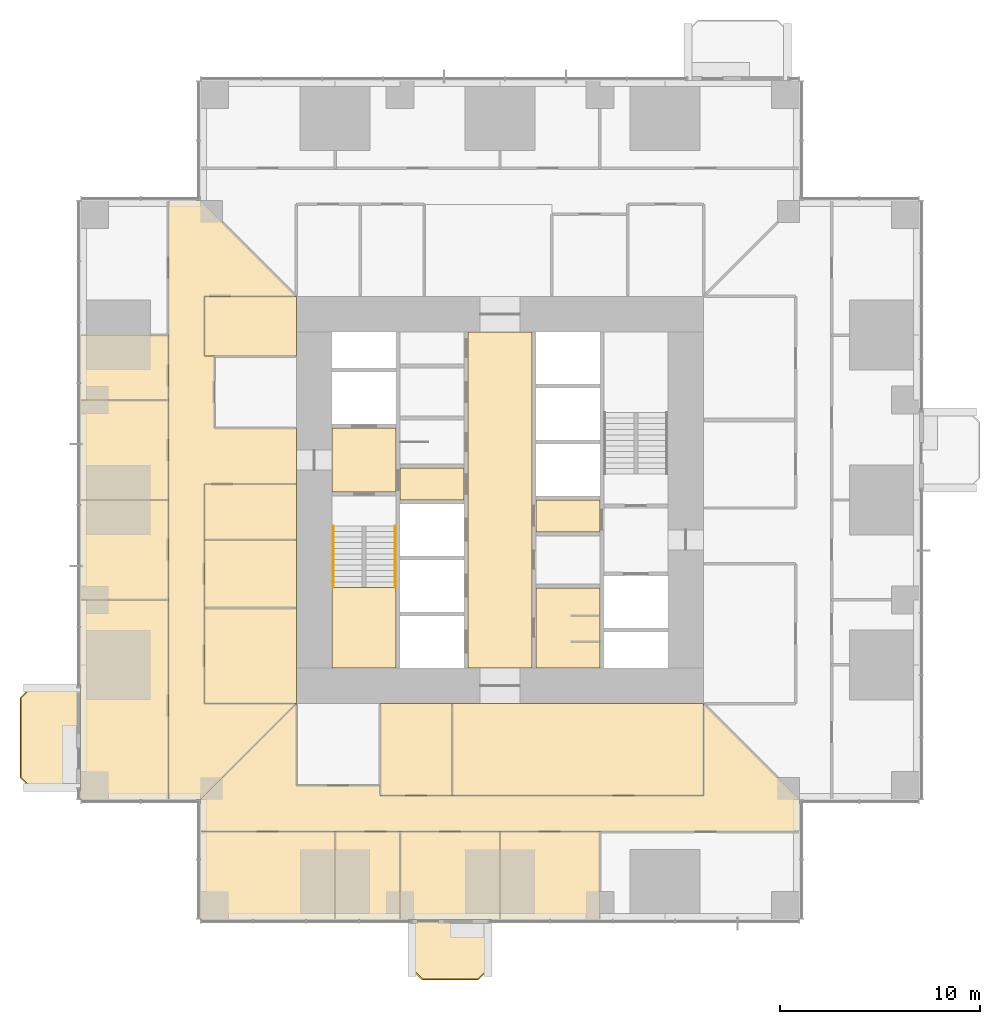
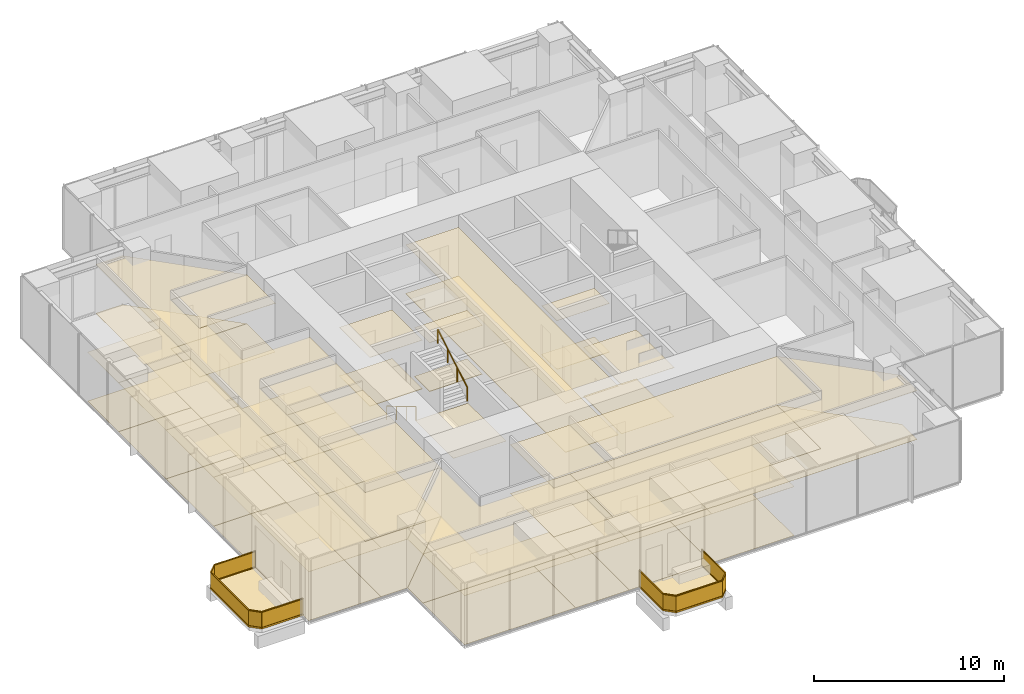
# One storey, part 15 of 18: 45 coverings, 4 railings.
"""IFC4 building model written with IfcOpenShell, lengths in metres."""

from ifc_helpers import new_model, si_unit, direction, frame, origin, origin_2d, place, context, subcontext, project, spatial, polyline, rectangle, circle, outline, extrude, material, layer, layer_set, type_object, element, save


model = new_model("IFC4")

# Units and contexts
model_context = context("Model", 3, precision=1e-05, world=origin(), true_north=direction((0.0, 1.0)))
body_context = subcontext(model_context, "Body", "Model", "MODEL_VIEW")
ifc_project = project(units=[si_unit("LENGTHUNIT", "METRE"), si_unit("AREAUNIT", "SQUARE_METRE"), si_unit("VOLUMEUNIT", "CUBIC_METRE"), si_unit("PLANEANGLEUNIT", "RADIAN"), si_unit("MASSUNIT", "GRAM", prefix="KILO")], contexts=[model_context])

# Site, building, storey
site_placement = place(None, origin())
site = spatial("IfcSite", under=ifc_project, at=site_placement, CompositionType="ELEMENT")
building_placement = place(site_placement, origin())
building = spatial("IfcBuilding", under=site, at=building_placement, Name="Svetlomir Tower", CompositionType="ELEMENT")
storey_placement = place(building_placement, frame((0.0, 0.0, 78.5)))
storey = spatial("IfcBuildingStorey", under=building, at=storey_placement, Name="L18", CompositionType="ELEMENT", Elevation=78.5)

# Railings
ifc_material_1 = material(Name="Bronze anodised aluminium and laminated glass", Category="aluminium")
railing_type_1 = type_object("IfcRailingType", Name="BALCONY GUARD GR1 1100", PredefinedType="GUARDRAIL", material=ifc_material_1)
railing_1_placement = place(storey_placement, frame((16.60009765625, 0.0, 0.0)))
element("IfcRailing", 1, at=railing_1_placement, inside=storey, type_object=railing_type_1, Name="Balcony guard S L18", PredefinedType="GUARDRAIL", context=body_context, shape_type="SweptSolid", body=[
    extrude(rectangle(XDim=0.06005859375, YDim=0.10009765625, at=origin_2d()), frame((0.0, 0.0, 0.050048828125), z_axis=(0.0, -1.0, 0.0), x_axis=(1.0, 0.0, 0.0)), (0.0, 0.0, 1.0), 2.5),
    extrude(rectangle(XDim=0.021484375, YDim=0.960205078125, at=origin_2d()), frame((0.0, 0.0, 0.580078125), z_axis=(0.0, -1.0, 0.0), x_axis=(1.0, 0.0, 0.0)), (0.0, 0.0, 1.0), 2.5),
    extrude(rectangle(XDim=0.06005859375, YDim=0.0400390625, at=origin_2d()), frame((0.0, 0.0, 1.080078125), z_axis=(0.0, -1.0, 0.0), x_axis=(1.0, 0.0, 0.0)), (0.0, 0.0, 1.0), 2.5),
    extrude(rectangle(XDim=0.06005859375, YDim=0.10009765625, at=origin_2d()), frame((0.0, -2.5, 0.050048828125), z_axis=(0.707106781187, -0.707106781187, 0.0), x_axis=(0.707106781187, 0.707106781187, 0.0)), (0.0, 0.0, 1.0), 0.70703125),
    extrude(rectangle(XDim=0.021484375, YDim=0.960205078125, at=origin_2d()), frame((0.0, -2.5, 0.580078125), z_axis=(0.707106781187, -0.707106781187, 0.0), x_axis=(0.707106781187, 0.707106781187, 0.0)), (0.0, 0.0, 1.0), 0.70703125),
    extrude(rectangle(XDim=0.06005859375, YDim=0.0400390625, at=origin_2d()), frame((0.0, -2.5, 1.080078125), z_axis=(0.707106781187, -0.707106781187, 0.0), x_axis=(0.707106781187, 0.707106781187, 0.0)), (0.0, 0.0, 1.0), 0.70703125),
    extrude(rectangle(XDim=0.06005859375, YDim=0.10009765625, at=origin_2d()), frame((0.5, -3.0, 0.050048828125), z_axis=(1.0, 0.0, 0.0), x_axis=(0.0, 1.0, 0.0)), (0.0, 0.0, 1.0), 2.7998046875),
    extrude(rectangle(XDim=0.021484375, YDim=0.960205078125, at=origin_2d()), frame((0.5, -3.0, 0.580078125), z_axis=(1.0, 0.0, 0.0), x_axis=(0.0, 1.0, 0.0)), (0.0, 0.0, 1.0), 2.7998046875),
    extrude(rectangle(XDim=0.06005859375, YDim=0.0400390625, at=origin_2d()), frame((0.5, -3.0, 1.080078125), z_axis=(1.0, 0.0, 0.0), x_axis=(0.0, 1.0, 0.0)), (0.0, 0.0, 1.0), 2.7998046875),
    extrude(rectangle(XDim=0.06005859375, YDim=0.10009765625, at=origin_2d()), frame((3.2998046875, -3.0, 0.050048828125), z_axis=(0.707106781187, 0.707106781187, 0.0), x_axis=(-0.707106781187, 0.707106781187, 0.0)), (0.0, 0.0, 1.0), 0.70703125),
    extrude(rectangle(XDim=0.021484375, YDim=0.960205078125, at=origin_2d()), frame((3.2998046875, -3.0, 0.580078125), z_axis=(0.707106781187, 0.707106781187, 0.0), x_axis=(-0.707106781187, 0.707106781187, 0.0)), (0.0, 0.0, 1.0), 0.70703125),
    extrude(rectangle(XDim=0.06005859375, YDim=0.0400390625, at=origin_2d()), frame((3.2998046875, -3.0, 1.080078125), z_axis=(0.707106781187, 0.707106781187, 0.0), x_axis=(-0.707106781187, 0.707106781187, 0.0)), (0.0, 0.0, 1.0), 0.70703125),
    extrude(rectangle(XDim=0.06005859375, YDim=0.10009765625, at=origin_2d()), frame((3.7998046875, -2.5, 0.050048828125), z_axis=(0.0, 1.0, 0.0), x_axis=(-1.0, 0.0, 0.0)), (0.0, 0.0, 1.0), 2.5),
    extrude(rectangle(XDim=0.021484375, YDim=0.960205078125, at=origin_2d()), frame((3.7998046875, -2.5, 0.580078125), z_axis=(0.0, 1.0, 0.0), x_axis=(-1.0, 0.0, 0.0)), (0.0, 0.0, 1.0), 2.5),
    extrude(rectangle(XDim=0.06005859375, YDim=0.0400390625, at=origin_2d()), frame((3.7998046875, -2.5, 1.080078125), z_axis=(0.0, 1.0, 0.0), x_axis=(-1.0, 0.0, 0.0)), (0.0, 0.0, 1.0), 2.5),
])
railing_2_placement = place(storey_placement, frame((0.0, 11.60009765625, 0.0)))
element("IfcRailing", 2, at=railing_2_placement, inside=storey, type_object=railing_type_1, Name="Balcony guard W L18", PredefinedType="GUARDRAIL", context=body_context, shape_type="SweptSolid", body=[
    extrude(rectangle(XDim=0.06005859375, YDim=0.10009765625, at=origin_2d()), frame((0.0, 0.0, 0.050048828125), z_axis=(-1.0, 0.0, 0.0), x_axis=(0.0, -1.0, 0.0)), (0.0, 0.0, 1.0), 2.5),
    extrude(rectangle(XDim=0.021484375, YDim=0.960205078125, at=origin_2d()), frame((0.0, 0.0, 0.580078125), z_axis=(-1.0, 0.0, 0.0), x_axis=(0.0, -1.0, 0.0)), (0.0, 0.0, 1.0), 2.5),
    extrude(rectangle(XDim=0.06005859375, YDim=0.0400390625, at=origin_2d()), frame((0.0, 0.0, 1.080078125), z_axis=(-1.0, 0.0, 0.0), x_axis=(0.0, -1.0, 0.0)), (0.0, 0.0, 1.0), 2.5),
    extrude(rectangle(XDim=0.06005859375, YDim=0.10009765625, at=origin_2d()), frame((-2.5, 0.0, 0.050048828125), z_axis=(-0.707106781187, -0.707106781187, 0.0), x_axis=(0.707106781187, -0.707106781187, 0.0)), (0.0, 0.0, 1.0), 0.70703125),
    extrude(rectangle(XDim=0.021484375, YDim=0.960205078125, at=origin_2d()), frame((-2.5, 0.0, 0.580078125), z_axis=(-0.707106781187, -0.707106781187, 0.0), x_axis=(0.707106781187, -0.707106781187, 0.0)), (0.0, 0.0, 1.0), 0.70703125),
    extrude(rectangle(XDim=0.06005859375, YDim=0.0400390625, at=origin_2d()), frame((-2.5, 0.0, 1.080078125), z_axis=(-0.707106781187, -0.707106781187, 0.0), x_axis=(0.707106781187, -0.707106781187, 0.0)), (0.0, 0.0, 1.0), 0.70703125),
    extrude(rectangle(XDim=0.06005859375, YDim=0.10009765625, at=origin_2d()), frame((-3.0, -0.5, 0.050048828125), z_axis=(0.0, -1.0, 0.0), x_axis=(1.0, 0.0, 0.0)), (0.0, 0.0, 1.0), 4.0),
    extrude(rectangle(XDim=0.021484375, YDim=0.960205078125, at=origin_2d()), frame((-3.0, -0.5, 0.580078125), z_axis=(0.0, -1.0, 0.0), x_axis=(1.0, 0.0, 0.0)), (0.0, 0.0, 1.0), 4.0),
    extrude(rectangle(XDim=0.06005859375, YDim=0.0400390625, at=origin_2d()), frame((-3.0, -0.5, 1.080078125), z_axis=(0.0, -1.0, 0.0), x_axis=(1.0, 0.0, 0.0)), (0.0, 0.0, 1.0), 4.0),
    extrude(rectangle(XDim=0.06005859375, YDim=0.10009765625, at=origin_2d()), frame((-3.0, -4.5, 0.050048828125), z_axis=(0.707106781187, -0.707106781187, 0.0), x_axis=(0.707106781187, 0.707106781187, 0.0)), (0.0, 0.0, 1.0), 0.70703125),
    extrude(rectangle(XDim=0.021484375, YDim=0.960205078125, at=origin_2d()), frame((-3.0, -4.5, 0.580078125), z_axis=(0.707106781187, -0.707106781187, 0.0), x_axis=(0.707106781187, 0.707106781187, 0.0)), (0.0, 0.0, 1.0), 0.70703125),
    extrude(rectangle(XDim=0.06005859375, YDim=0.0400390625, at=origin_2d()), frame((-3.0, -4.5, 1.080078125), z_axis=(0.707106781187, -0.707106781187, 0.0), x_axis=(0.707106781187, 0.707106781187, 0.0)), (0.0, 0.0, 1.0), 0.70703125),
    extrude(rectangle(XDim=0.06005859375, YDim=0.10009765625, at=origin_2d()), frame((-2.5, -5.0, 0.050048828125), z_axis=(1.0, 0.0, 0.0), x_axis=(0.0, 1.0, 0.0)), (0.0, 0.0, 1.0), 2.5),
    extrude(rectangle(XDim=0.021484375, YDim=0.960205078125, at=origin_2d()), frame((-2.5, -5.0, 0.580078125), z_axis=(1.0, 0.0, 0.0), x_axis=(0.0, 1.0, 0.0)), (0.0, 0.0, 1.0), 2.5),
    extrude(rectangle(XDim=0.06005859375, YDim=0.0400390625, at=origin_2d()), frame((-2.5, -5.0, 1.080078125), z_axis=(1.0, 0.0, 0.0), x_axis=(0.0, 1.0, 0.0)), (0.0, 0.0, 1.0), 2.5),
])

# Coverings
ifc_material_2 = material(Name="Granite paving slabs on pedestals", Category="masonry")
ifc_layer_1 = layer(ifc_material_2, 0.0400390625)
ifc_layer_set_1 = layer_set([ifc_layer_1], Name="Granite paving slabs on pedestals")
covering_type_1 = type_object("IfcCoveringType", Name="BALCONY PAVING 40", PredefinedType="USERDEFINED", material=ifc_layer_set_1)
covering_1_placement = place(storey_placement, origin())
element("IfcCovering", 3, at=covering_1_placement, inside=storey, type_object=covering_type_1, Name="Balcony paving S L18", ObjectType="BALCONY PAVING", PredefinedType="USERDEFINED", context=body_context, shape_type="SweptSolid", body=[
    extrude(outline(polyline([(16.60009765625, -2.5), (17.10009765625, -3.0), (19.89990234375, -3.0), (20.39990234375, -2.5), (20.39990234375, 0.0), (16.60009765625, 0.0), (16.60009765625, -2.5)])), origin(), (0.0, 0.0, 1.0), 0.0400390625),
])
covering_2_placement = place(storey_placement, origin())
element("IfcCovering", 4, at=covering_2_placement, inside=storey, type_object=covering_type_1, Name="Balcony paving W L18", ObjectType="BALCONY PAVING", PredefinedType="USERDEFINED", context=body_context, shape_type="SweptSolid", body=[
    extrude(outline(polyline([(-2.5, 6.60009765625), (0.0, 6.60009765625), (0.0, 11.60009765625), (-2.5, 11.60009765625), (-3.0, 11.10009765625), (-3.0, 7.10009765625), (-2.5, 6.60009765625)])), origin(), (0.0, 0.0, 1.0), 0.0400390625),
])
ifc_material_3 = material(Name="Carpet tile", Category="textile")
ifc_layer_2 = layer(ifc_material_3, 0.010009765625)
ifc_layer_set_2 = layer_set([ifc_layer_2], Name="Carpet tile")
covering_type_2 = type_object("IfcCoveringType", Name="CARPET TILE FLOOR 10", PredefinedType="FLOORING", material=ifc_layer_set_2)
covering_3_placement = place(storey_placement, origin())
element("IfcCovering", 5, at=covering_3_placement, inside=storey, type_object=covering_type_2, Name="Floor finish L18-14", PredefinedType="FLOORING", context=body_context, shape_type="SweptSolid", body=[
    extrude(outline(polyline([(15.0, 6.199951171875), (18.60009765625, 6.199951171875), (18.60009765625, 10.800048828125), (15.0, 10.800048828125), (15.0, 6.199951171875)])), origin(), (0.0, 0.0, 1.0), 0.010009765625),
])
covering_4_placement = place(storey_placement, origin())
element("IfcCovering", 6, at=covering_4_placement, inside=storey, type_object=covering_type_2, Name="Floor finish L18-15", PredefinedType="FLOORING", context=body_context, shape_type="SweptSolid", body=[
    extrude(outline(polyline([(6.0, 0.0), (12.75, 0.0), (12.75, 4.39990234375), (6.0, 4.39990234375), (6.0, 0.0)])), origin(), (0.0, 0.0, 1.0), 0.010009765625),
])
covering_5_placement = place(storey_placement, origin())
element("IfcCovering", 7, at=covering_5_placement, inside=storey, type_object=covering_type_2, Name="Floor finish L18-16", PredefinedType="FLOORING", context=body_context, shape_type="SweptSolid", body=[
    extrude(outline(polyline([(16.0, 0.0), (21.0, 0.0), (21.0, 4.39990234375), (16.0, 4.39990234375), (16.0, 0.0)])), origin(), (0.0, 0.0, 1.0), 0.010009765625),
])
covering_6_placement = place(storey_placement, origin())
element("IfcCovering", 8, at=covering_6_placement, inside=storey, type_object=covering_type_2, Name="Floor finish L18-17", PredefinedType="FLOORING", context=body_context, shape_type="SweptSolid", body=[
    extrude(outline(polyline([(21.0, 0.0), (26.0, 0.0), (26.0, 4.39990234375), (21.0, 4.39990234375), (21.0, 0.0)])), origin(), (0.0, 0.0, 1.0), 0.010009765625),
])
covering_7_placement = place(storey_placement, origin())
element("IfcCovering", 9, at=covering_7_placement, inside=storey, type_object=covering_type_2, Name="Floor finish L18-29", PredefinedType="FLOORING", context=body_context, shape_type="SweptSolid", body=[
    extrude(outline(polyline([(6.199951171875, 10.800048828125), (10.800048828125, 10.800048828125), (10.800048828125, 15.60009765625), (6.199951171875, 15.60009765625), (6.199951171875, 10.800048828125)])), origin(), (0.0, 0.0, 1.0), 0.010009765625),
])
covering_8_placement = place(storey_placement, origin())
element("IfcCovering", 10, at=covering_8_placement, inside=storey, type_object=covering_type_2, Name="Floor finish L18-30", PredefinedType="FLOORING", context=body_context, shape_type="SweptSolid", body=[
    extrude(outline(polyline([(6.199951171875, 15.60009765625), (10.800048828125, 15.60009765625), (10.800048828125, 19.0), (6.199951171875, 19.0), (6.199951171875, 15.60009765625)])), origin(), (0.0, 0.0, 1.0), 0.010009765625),
])
covering_9_placement = place(storey_placement, origin())
element("IfcCovering", 11, at=covering_9_placement, inside=storey, type_object=covering_type_2, Name="Floor finish L18-32", PredefinedType="FLOORING", context=body_context, shape_type="SweptSolid", body=[
    extrude(outline(polyline([(0.0, 16.0), (4.39990234375, 16.0), (4.39990234375, 21.0), (0.0, 21.0), (0.0, 16.0)])), origin(), (0.0, 0.0, 1.0), 0.010009765625),
])
covering_10_placement = place(storey_placement, origin())
element("IfcCovering", 12, at=covering_10_placement, inside=storey, type_object=covering_type_2, Name="Floor finish L18-33", PredefinedType="FLOORING", context=body_context, shape_type="SweptSolid", body=[
    extrude(outline(polyline([(0.0, 26.0), (4.39990234375, 26.0), (4.39990234375, 29.25), (0.0, 29.25), (0.0, 26.0)])), origin(), (0.0, 0.0, 1.0), 0.010009765625),
])
covering_11_placement = place(storey_placement, origin())
element("IfcCovering", 13, at=covering_11_placement, inside=storey, type_object=covering_type_2, Name="Floor finish L18-34", PredefinedType="FLOORING", context=body_context, shape_type="SweptSolid", body=[
    extrude(outline(polyline([(36.0, 4.39990234375), (6.0, 4.39990234375), (6.0, 6.0), (10.800048828125, 10.800048828125), (10.800048828125, 6.699951171875), (15.0, 6.699951171875), (15.0, 6.199951171875), (31.199951171875, 6.199951171875), (31.199951171875, 10.800048828125), (36.0, 6.0), (36.0, 4.39990234375)])), origin(), (0.0, 0.0, 1.0), 0.010009765625),
])
covering_12_placement = place(storey_placement, origin())
element("IfcCovering", 14, at=covering_12_placement, inside=storey, type_object=covering_type_2, Name="Floor finish L18-37", PredefinedType="FLOORING", context=body_context, shape_type="SweptSolid", body=[
    extrude(outline(polyline([(4.39990234375, 6.0), (4.39990234375, 36.0), (6.0, 36.0), (10.800048828125, 31.199951171875), (6.199951171875, 31.199951171875), (6.199951171875, 28.199951171875), (6.699951171875, 28.199951171875), (6.699951171875, 24.60009765625), (10.800048828125, 24.60009765625), (10.800048828125, 21.800048828125), (6.199951171875, 21.800048828125), (6.199951171875, 10.800048828125), (10.800048828125, 10.800048828125), (6.0, 6.0), (4.39990234375, 6.0)])), origin(), (0.0, 0.0, 1.0), 0.010009765625),
])
covering_13_placement = place(storey_placement, origin())
element("IfcCovering", 15, at=covering_13_placement, inside=storey, type_object=covering_type_2, Name="Floor finish L18-38", PredefinedType="FLOORING", context=body_context, shape_type="SweptSolid", body=[
    extrude(outline(polyline([(16.0, 4.39990234375), (16.0, 0.0), (12.75, 0.0), (12.75, 4.39990234375), (16.0, 4.39990234375)])), origin(), (0.0, 0.0, 1.0), 0.010009765625),
])
covering_14_placement = place(storey_placement, origin())
element("IfcCovering", 16, at=covering_14_placement, inside=storey, type_object=covering_type_2, Name="Floor finish L18-40", PredefinedType="FLOORING", context=body_context, shape_type="SweptSolid", body=[
    extrude(outline(polyline([(31.199951171875, 10.800048828125), (31.199951171875, 6.199951171875), (18.60009765625, 6.199951171875), (18.60009765625, 10.800048828125), (31.199951171875, 10.800048828125)])), origin(), (0.0, 0.0, 1.0), 0.010009765625),
])
covering_15_placement = place(storey_placement, origin())
element("IfcCovering", 17, at=covering_15_placement, inside=storey, type_object=covering_type_2, Name="Floor finish L18-47", PredefinedType="FLOORING", context=body_context, shape_type="SweptSolid", body=[
    extrude(outline(polyline([(0.0, 16.0), (4.39990234375, 16.0), (4.39990234375, 6.0), (0.0, 6.0), (0.0, 16.0)])), origin(), (0.0, 0.0, 1.0), 0.010009765625),
])
covering_16_placement = place(storey_placement, origin())
element("IfcCovering", 18, at=covering_16_placement, inside=storey, type_object=covering_type_2, Name="Floor finish L18-48", PredefinedType="FLOORING", context=body_context, shape_type="SweptSolid", body=[
    extrude(outline(polyline([(0.0, 26.0), (4.39990234375, 26.0), (4.39990234375, 21.0), (0.0, 21.0), (0.0, 26.0)])), origin(), (0.0, 0.0, 1.0), 0.010009765625),
])
covering_17_placement = place(storey_placement, origin())
element("IfcCovering", 19, at=covering_17_placement, inside=storey, type_object=covering_type_2, Name="Floor finish L18-50", PredefinedType="FLOORING", context=body_context, shape_type="SweptSolid", body=[
    extrude(outline(polyline([(6.199951171875, 28.199951171875), (6.199951171875, 31.199951171875), (10.800048828125, 31.199951171875), (10.800048828125, 28.199951171875), (6.199951171875, 28.199951171875)])), origin(), (0.0, 0.0, 1.0), 0.010009765625),
])
covering_18_placement = place(storey_placement, origin())
element("IfcCovering", 20, at=covering_18_placement, inside=storey, type_object=covering_type_2, Name="Floor finish L18-51", PredefinedType="FLOORING", context=body_context, shape_type="SweptSolid", body=[
    extrude(outline(polyline([(6.199951171875, 19.0), (6.199951171875, 21.800048828125), (10.800048828125, 21.800048828125), (10.800048828125, 19.0), (6.199951171875, 19.0)])), origin(), (0.0, 0.0, 1.0), 0.010009765625),
])
ifc_material_4 = material(Name="Ceramic floor tile", Category="ceramic")
ifc_layer_3 = layer(ifc_material_4, 0.014892578125)
ifc_layer_set_3 = layer_set([ifc_layer_3], Name="Ceramic floor tile")
covering_type_3 = type_object("IfcCoveringType", Name="CERAMIC TILE FLOOR 15", PredefinedType="FLOORING", material=ifc_layer_set_3)
covering_19_placement = place(storey_placement, origin())
element("IfcCovering", 21, at=covering_19_placement, inside=storey, type_object=covering_type_3, Name="Floor finish L18-08", PredefinedType="FLOORING", context=body_context, shape_type="SweptSolid", body=[
    extrude(outline(polyline([(22.800048828125, 12.60009765625), (26.0, 12.60009765625), (26.0, 16.60009765625), (22.800048828125, 16.60009765625), (22.800048828125, 12.60009765625)])), origin(), (0.0, 0.0, 1.0), 0.014892578125),
])

# Railings
ifc_material_5 = material(Name="Stainless steel", Category="steel")
railing_type_2 = type_object("IfcRailingType", Name="HANDRAIL HR1 900", PredefinedType="HANDRAIL", material=ifc_material_5)
railing_3_placement = place(storey_placement, frame((12.64990234375, 19.699951171875, 0.166748046875)))
element("IfcRailing", 22, at=railing_3_placement, inside=storey, type_object=railing_type_2, Name="Handrail S1 flight 1 L18", PredefinedType="HANDRAIL", context=body_context, shape_type="SweptSolid", body=[
    extrude(circle(Radius=0.02392578125, at=origin_2d()), frame((0.0, 0.0, 0.8759765625), z_axis=(0.0, -0.859290745958, 0.51148745235), x_axis=(1.0, 0.0, 0.0)), (0.0, 0.0, 1.0), 3.584228515625),
    extrude(circle(Radius=0.02099609375, at=origin_2d()), origin(), (0.0, 0.0, 1.0), 0.851806640625),
    extrude(circle(Radius=0.02099609375, at=origin_2d()), frame((0.0, -1.026611328125, 0.611083984375)), (0.0, 0.0, 1.0), 0.851806640625),
    extrude(circle(Radius=0.02099609375, at=origin_2d()), frame((0.0, -2.05322265625, 1.22216796875)), (0.0, 0.0, 1.0), 0.851806640625),
    extrude(circle(Radius=0.02099609375, at=origin_2d()), frame((0.0, -3.079833984375, 1.833251953125)), (0.0, 0.0, 1.0), 0.851806640625),
])
railing_4_placement = place(storey_placement, frame((15.75, 16.6201171875, 2.166748046875)))
element("IfcRailing", 23, at=railing_4_placement, inside=storey, type_object=railing_type_2, Name="Handrail S1 flight 2 L18", PredefinedType="HANDRAIL", context=body_context, shape_type="SweptSolid", body=[
    extrude(circle(Radius=0.02392578125, at=origin_2d()), frame((0.0, 0.0, 0.8759765625), z_axis=(0.0, 0.859290745958, 0.51148745235), x_axis=(-1.0, 0.0, 0.0)), (0.0, 0.0, 1.0), 3.584228515625),
    extrude(circle(Radius=0.02099609375, at=origin_2d()), origin(), (0.0, 0.0, 1.0), 0.851806640625),
    extrude(circle(Radius=0.02099609375, at=origin_2d()), frame((0.0, 1.026611328125, 0.611083984375)), (0.0, 0.0, 1.0), 0.851806640625),
    extrude(circle(Radius=0.02099609375, at=origin_2d()), frame((0.0, 2.05322265625, 1.22216796875)), (0.0, 0.0, 1.0), 0.851806640625),
    extrude(circle(Radius=0.02099609375, at=origin_2d()), frame((0.0, 3.079833984375, 1.833251953125)), (0.0, 0.0, 1.0), 0.851806640625),
])

# Coverings
ifc_material_6 = material(Name="Moisture resistant plasterboard ceiling", Category="gypsum")
ifc_layer_4 = layer(ifc_material_6, 0.012451171875)
ifc_layer_set_4 = layer_set([ifc_layer_4], Name="Moisture resistant plasterboard ceiling")
covering_type_4 = type_object("IfcCoveringType", Name="MOISTURE RESISTANT CEILING 12.5", PredefinedType="CEILING", material=ifc_layer_set_4)
covering_20_placement = place(storey_placement, frame((0.0, 0.0, 3.137451171875)))
element("IfcCovering", 24, at=covering_20_placement, inside=storey, type_object=covering_type_4, Name="Ceiling L18-08", PredefinedType="CEILING", context=body_context, shape_type="SweptSolid", body=[
    extrude(outline(polyline([(22.800048828125, 12.60009765625), (26.0, 12.60009765625), (26.0, 16.60009765625), (22.800048828125, 16.60009765625), (22.800048828125, 12.60009765625)])), origin(), (0.0, 0.0, 1.0), 0.012451171875),
])
ifc_material_7 = material(Name="Gypsum plasterboard ceiling", Category="gypsum")
ifc_layer_5 = layer(ifc_material_7, 0.014892578125)
ifc_layer_set_5 = layer_set([ifc_layer_5], Name="Gypsum plasterboard ceiling")
covering_type_5 = type_object("IfcCoveringType", Name="PLASTERBOARD CEILING 15", PredefinedType="CEILING", material=ifc_layer_set_5)
covering_21_placement = place(storey_placement, frame((0.0, 0.0, 3.135009765625)))
element("IfcCovering", 25, at=covering_21_placement, inside=storey, type_object=covering_type_5, Name="Ceiling L18-02", PredefinedType="CEILING", context=body_context, shape_type="SweptSolid", body=[
    extrude(outline(polyline([(12.60009765625, 21.39990234375), (15.800048828125, 21.39990234375), (15.800048828125, 24.60009765625), (12.60009765625, 24.60009765625), (12.60009765625, 21.39990234375)])), origin(), (0.0, 0.0, 1.0), 0.014892578125),
])
covering_22_placement = place(storey_placement, frame((0.0, 0.0, 3.135009765625)))
element("IfcCovering", 26, at=covering_22_placement, inside=storey, type_object=covering_type_5, Name="Ceiling L18-03", PredefinedType="CEILING", context=body_context, shape_type="SweptSolid", body=[
    extrude(outline(polyline([(16.0, 21.0), (19.199951171875, 21.0), (19.199951171875, 22.60009765625), (16.0, 22.60009765625), (16.0, 21.0)])), origin(), (0.0, 0.0, 1.0), 0.014892578125),
])
covering_23_placement = place(storey_placement, frame((0.0, 0.0, 3.135009765625)))
element("IfcCovering", 27, at=covering_23_placement, inside=storey, type_object=covering_type_5, Name="Ceiling L18-07", PredefinedType="CEILING", context=body_context, shape_type="SweptSolid", body=[
    extrude(outline(polyline([(19.39990234375, 12.60009765625), (22.60009765625, 12.60009765625), (22.60009765625, 29.39990234375), (19.39990234375, 29.39990234375), (19.39990234375, 12.60009765625)])), origin(), (0.0, 0.0, 1.0), 0.014892578125),
])
covering_24_placement = place(storey_placement, frame((0.0, 0.0, 3.135009765625)))
element("IfcCovering", 28, at=covering_24_placement, inside=storey, type_object=covering_type_5, Name="Ceiling L18-10", PredefinedType="CEILING", context=body_context, shape_type="SweptSolid", body=[
    extrude(outline(polyline([(22.800048828125, 19.39990234375), (26.0, 19.39990234375), (26.0, 21.0), (22.800048828125, 21.0), (22.800048828125, 19.39990234375)])), origin(), (0.0, 0.0, 1.0), 0.014892578125),
])
ifc_material_8 = material(Name="Studded rubber floor finish", Category="rubber")
ifc_layer_6 = layer(ifc_material_8, 0.006103515625)
ifc_layer_set_6 = layer_set([ifc_layer_6], Name="Studded rubber floor finish")
covering_type_6 = type_object("IfcCoveringType", Name="RUBBER LANDING FINISH 6", PredefinedType="FLOORING", material=ifc_layer_set_6)
covering_25_placement = place(storey_placement, frame((0.0, 0.0, 2.0)))
element("IfcCovering", 29, at=covering_25_placement, inside=storey, type_object=covering_type_6, Name="Stair S1 landing finish L18", PredefinedType="FLOORING", context=body_context, shape_type="SweptSolid", body=[
    extrude(outline(polyline([(12.60009765625, 12.60009765625), (15.800048828125, 12.60009765625), (15.800048828125, 16.6201171875), (12.60009765625, 16.6201171875), (12.60009765625, 12.60009765625)])), origin(), (0.0, 0.0, 1.0), 0.006103515625),
])
ifc_material_9 = material(Name="Mineral fibre ceiling tile", Category="mineral")
ifc_layer_7 = layer(ifc_material_9, 0.02001953125)
ifc_layer_set_7 = layer_set([ifc_layer_7], Name="Mineral fibre ceiling tile")
covering_type_7 = type_object("IfcCoveringType", Name="SUSPENDED CEILING 20", PredefinedType="CEILING", material=ifc_layer_set_7)
covering_26_placement = place(storey_placement, frame((0.0, 0.0, 3.1298828125)))
element("IfcCovering", 30, at=covering_26_placement, inside=storey, type_object=covering_type_7, Name="Ceiling L18-14", PredefinedType="CEILING", context=body_context, shape_type="SweptSolid", body=[
    extrude(outline(polyline([(15.0, 6.199951171875), (18.60009765625, 6.199951171875), (18.60009765625, 10.800048828125), (15.0, 10.800048828125), (15.0, 6.199951171875)])), origin(), (0.0, 0.0, 1.0), 0.02001953125),
])
covering_27_placement = place(storey_placement, frame((0.0, 0.0, 3.1298828125)))
element("IfcCovering", 31, at=covering_27_placement, inside=storey, type_object=covering_type_7, Name="Ceiling L18-15", PredefinedType="CEILING", context=body_context, shape_type="SweptSolid", body=[
    extrude(outline(polyline([(6.0, 0.0), (12.75, 0.0), (12.75, 4.39990234375), (6.0, 4.39990234375), (6.0, 0.0)])), origin(), (0.0, 0.0, 1.0), 0.02001953125),
])
covering_28_placement = place(storey_placement, frame((0.0, 0.0, 3.1298828125)))
element("IfcCovering", 32, at=covering_28_placement, inside=storey, type_object=covering_type_7, Name="Ceiling L18-16", PredefinedType="CEILING", context=body_context, shape_type="SweptSolid", body=[
    extrude(outline(polyline([(16.0, 0.0), (21.0, 0.0), (21.0, 4.39990234375), (16.0, 4.39990234375), (16.0, 0.0)])), origin(), (0.0, 0.0, 1.0), 0.02001953125),
])
covering_29_placement = place(storey_placement, frame((0.0, 0.0, 3.1298828125)))
element("IfcCovering", 33, at=covering_29_placement, inside=storey, type_object=covering_type_7, Name="Ceiling L18-17", PredefinedType="CEILING", context=body_context, shape_type="SweptSolid", body=[
    extrude(outline(polyline([(21.0, 0.0), (26.0, 0.0), (26.0, 4.39990234375), (21.0, 4.39990234375), (21.0, 0.0)])), origin(), (0.0, 0.0, 1.0), 0.02001953125),
])
covering_30_placement = place(storey_placement, frame((0.0, 0.0, 3.1298828125)))
element("IfcCovering", 34, at=covering_30_placement, inside=storey, type_object=covering_type_7, Name="Ceiling L18-29", PredefinedType="CEILING", context=body_context, shape_type="SweptSolid", body=[
    extrude(outline(polyline([(6.199951171875, 10.800048828125), (10.800048828125, 10.800048828125), (10.800048828125, 15.60009765625), (6.199951171875, 15.60009765625), (6.199951171875, 10.800048828125)])), origin(), (0.0, 0.0, 1.0), 0.02001953125),
])
covering_31_placement = place(storey_placement, frame((0.0, 0.0, 3.1298828125)))
element("IfcCovering", 35, at=covering_31_placement, inside=storey, type_object=covering_type_7, Name="Ceiling L18-30", PredefinedType="CEILING", context=body_context, shape_type="SweptSolid", body=[
    extrude(outline(polyline([(6.199951171875, 15.60009765625), (10.800048828125, 15.60009765625), (10.800048828125, 19.0), (6.199951171875, 19.0), (6.199951171875, 15.60009765625)])), origin(), (0.0, 0.0, 1.0), 0.02001953125),
])
covering_32_placement = place(storey_placement, frame((0.0, 0.0, 3.1298828125)))
element("IfcCovering", 36, at=covering_32_placement, inside=storey, type_object=covering_type_7, Name="Ceiling L18-32", PredefinedType="CEILING", context=body_context, shape_type="SweptSolid", body=[
    extrude(outline(polyline([(0.0, 16.0), (4.39990234375, 16.0), (4.39990234375, 21.0), (0.0, 21.0), (0.0, 16.0)])), origin(), (0.0, 0.0, 1.0), 0.02001953125),
])
covering_33_placement = place(storey_placement, frame((0.0, 0.0, 3.1298828125)))
element("IfcCovering", 37, at=covering_33_placement, inside=storey, type_object=covering_type_7, Name="Ceiling L18-33", PredefinedType="CEILING", context=body_context, shape_type="SweptSolid", body=[
    extrude(outline(polyline([(0.0, 26.0), (4.39990234375, 26.0), (4.39990234375, 29.25), (0.0, 29.25), (0.0, 26.0)])), origin(), (0.0, 0.0, 1.0), 0.02001953125),
])
covering_34_placement = place(storey_placement, frame((0.0, 0.0, 3.1298828125)))
element("IfcCovering", 38, at=covering_34_placement, inside=storey, type_object=covering_type_7, Name="Ceiling L18-34", PredefinedType="CEILING", context=body_context, shape_type="SweptSolid", body=[
    extrude(outline(polyline([(36.0, 4.39990234375), (6.0, 4.39990234375), (6.0, 6.0), (10.800048828125, 10.800048828125), (10.800048828125, 6.699951171875), (15.0, 6.699951171875), (15.0, 6.199951171875), (31.199951171875, 6.199951171875), (31.199951171875, 10.800048828125), (36.0, 6.0), (36.0, 4.39990234375)])), origin(), (0.0, 0.0, 1.0), 0.02001953125),
])
covering_35_placement = place(storey_placement, frame((0.0, 0.0, 3.1298828125)))
element("IfcCovering", 39, at=covering_35_placement, inside=storey, type_object=covering_type_7, Name="Ceiling L18-37", PredefinedType="CEILING", context=body_context, shape_type="SweptSolid", body=[
    extrude(outline(polyline([(4.39990234375, 6.0), (4.39990234375, 36.0), (6.0, 36.0), (10.800048828125, 31.199951171875), (6.199951171875, 31.199951171875), (6.199951171875, 28.199951171875), (6.699951171875, 28.199951171875), (6.699951171875, 24.60009765625), (10.800048828125, 24.60009765625), (10.800048828125, 21.800048828125), (6.199951171875, 21.800048828125), (6.199951171875, 10.800048828125), (10.800048828125, 10.800048828125), (6.0, 6.0), (4.39990234375, 6.0)])), origin(), (0.0, 0.0, 1.0), 0.02001953125),
])
covering_36_placement = place(storey_placement, frame((0.0, 0.0, 3.1298828125)))
element("IfcCovering", 40, at=covering_36_placement, inside=storey, type_object=covering_type_7, Name="Ceiling L18-38", PredefinedType="CEILING", context=body_context, shape_type="SweptSolid", body=[
    extrude(outline(polyline([(16.0, 4.39990234375), (16.0, 0.0), (12.75, 0.0), (12.75, 4.39990234375), (16.0, 4.39990234375)])), origin(), (0.0, 0.0, 1.0), 0.02001953125),
])
covering_37_placement = place(storey_placement, frame((0.0, 0.0, 3.1298828125)))
element("IfcCovering", 41, at=covering_37_placement, inside=storey, type_object=covering_type_7, Name="Ceiling L18-40", PredefinedType="CEILING", context=body_context, shape_type="SweptSolid", body=[
    extrude(outline(polyline([(31.199951171875, 10.800048828125), (31.199951171875, 6.199951171875), (18.60009765625, 6.199951171875), (18.60009765625, 10.800048828125), (31.199951171875, 10.800048828125)])), origin(), (0.0, 0.0, 1.0), 0.02001953125),
])
covering_38_placement = place(storey_placement, frame((0.0, 0.0, 3.1298828125)))
element("IfcCovering", 42, at=covering_38_placement, inside=storey, type_object=covering_type_7, Name="Ceiling L18-47", PredefinedType="CEILING", context=body_context, shape_type="SweptSolid", body=[
    extrude(outline(polyline([(0.0, 16.0), (4.39990234375, 16.0), (4.39990234375, 6.0), (0.0, 6.0), (0.0, 16.0)])), origin(), (0.0, 0.0, 1.0), 0.02001953125),
])
covering_39_placement = place(storey_placement, frame((0.0, 0.0, 3.1298828125)))
element("IfcCovering", 43, at=covering_39_placement, inside=storey, type_object=covering_type_7, Name="Ceiling L18-48", PredefinedType="CEILING", context=body_context, shape_type="SweptSolid", body=[
    extrude(outline(polyline([(0.0, 26.0), (4.39990234375, 26.0), (4.39990234375, 21.0), (0.0, 21.0), (0.0, 26.0)])), origin(), (0.0, 0.0, 1.0), 0.02001953125),
])
covering_40_placement = place(storey_placement, frame((0.0, 0.0, 3.1298828125)))
element("IfcCovering", 44, at=covering_40_placement, inside=storey, type_object=covering_type_7, Name="Ceiling L18-50", PredefinedType="CEILING", context=body_context, shape_type="SweptSolid", body=[
    extrude(outline(polyline([(6.199951171875, 28.199951171875), (6.199951171875, 31.199951171875), (10.800048828125, 31.199951171875), (10.800048828125, 28.199951171875), (6.199951171875, 28.199951171875)])), origin(), (0.0, 0.0, 1.0), 0.02001953125),
])
covering_41_placement = place(storey_placement, frame((0.0, 0.0, 3.1298828125)))
element("IfcCovering", 45, at=covering_41_placement, inside=storey, type_object=covering_type_7, Name="Ceiling L18-51", PredefinedType="CEILING", context=body_context, shape_type="SweptSolid", body=[
    extrude(outline(polyline([(6.199951171875, 19.0), (6.199951171875, 21.800048828125), (10.800048828125, 21.800048828125), (10.800048828125, 19.0), (6.199951171875, 19.0)])), origin(), (0.0, 0.0, 1.0), 0.02001953125),
])
ifc_material_10 = material(Name="Bronze-aggregate terrazzo", Category="stone")
ifc_layer_8 = layer(ifc_material_10, 0.030029296875)
ifc_layer_set_8 = layer_set([ifc_layer_8], Name="Bronze-aggregate terrazzo")
covering_type_8 = type_object("IfcCoveringType", Name="TERRAZZO FLOOR 30", PredefinedType="FLOORING", material=ifc_layer_set_8)
covering_42_placement = place(storey_placement, origin())
element("IfcCovering", 46, at=covering_42_placement, inside=storey, type_object=covering_type_8, Name="Floor finish L18-02", PredefinedType="FLOORING", context=body_context, shape_type="SweptSolid", body=[
    extrude(outline(polyline([(12.60009765625, 21.39990234375), (15.800048828125, 21.39990234375), (15.800048828125, 24.60009765625), (12.60009765625, 24.60009765625), (12.60009765625, 21.39990234375)])), origin(), (0.0, 0.0, 1.0), 0.030029296875),
])
covering_43_placement = place(storey_placement, origin())
element("IfcCovering", 47, at=covering_43_placement, inside=storey, type_object=covering_type_8, Name="Floor finish L18-03", PredefinedType="FLOORING", context=body_context, shape_type="SweptSolid", body=[
    extrude(outline(polyline([(16.0, 21.0), (19.199951171875, 21.0), (19.199951171875, 22.60009765625), (16.0, 22.60009765625), (16.0, 21.0)])), origin(), (0.0, 0.0, 1.0), 0.030029296875),
])
covering_44_placement = place(storey_placement, origin())
element("IfcCovering", 48, at=covering_44_placement, inside=storey, type_object=covering_type_8, Name="Floor finish L18-07", PredefinedType="FLOORING", context=body_context, shape_type="SweptSolid", body=[
    extrude(outline(polyline([(19.39990234375, 12.60009765625), (22.60009765625, 12.60009765625), (22.60009765625, 29.39990234375), (19.39990234375, 29.39990234375), (19.39990234375, 12.60009765625)])), origin(), (0.0, 0.0, 1.0), 0.030029296875),
])
covering_45_placement = place(storey_placement, origin())
element("IfcCovering", 49, at=covering_45_placement, inside=storey, type_object=covering_type_8, Name="Floor finish L18-10", PredefinedType="FLOORING", context=body_context, shape_type="SweptSolid", body=[
    extrude(outline(polyline([(22.800048828125, 19.39990234375), (26.0, 19.39990234375), (26.0, 21.0), (22.800048828125, 21.0), (22.800048828125, 19.39990234375)])), origin(), (0.0, 0.0, 1.0), 0.030029296875),
])

save(model, "model.ifc")
